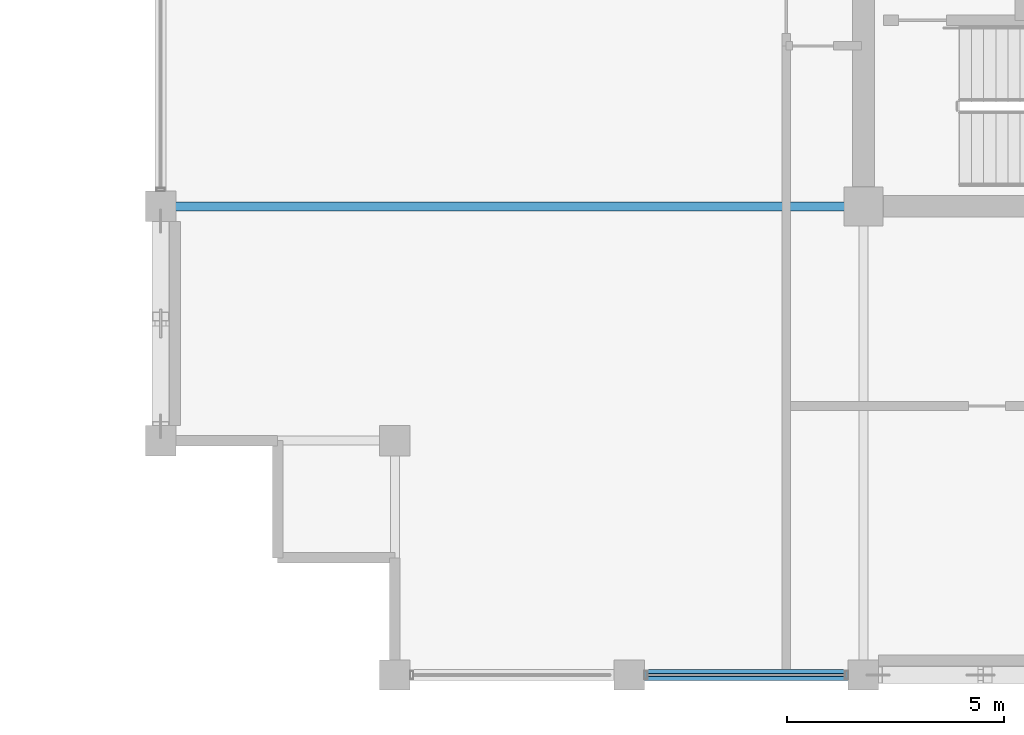
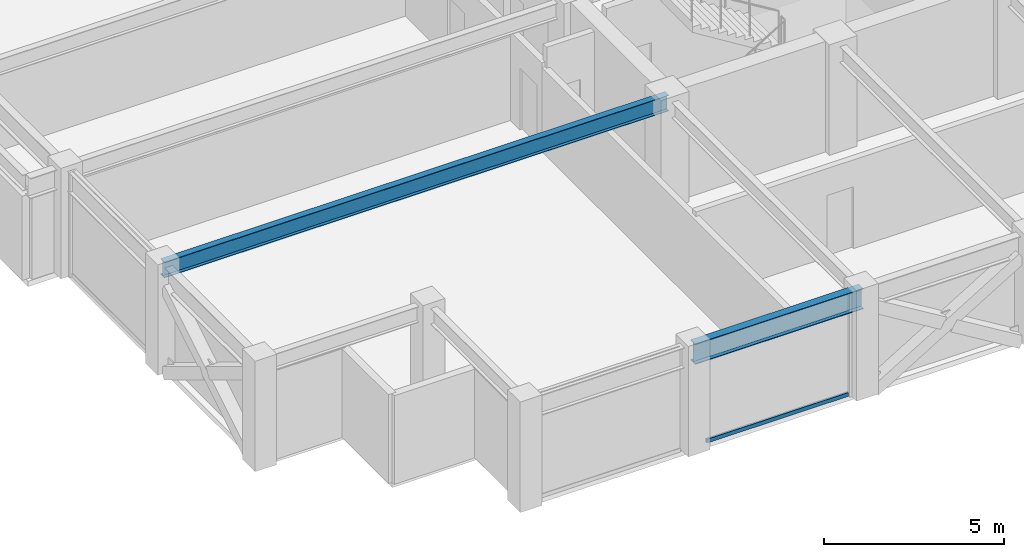
# One storey, part 4 of 31: 2 beams, 1 member, 1 element without a shape of its own.
"""IFC4 building model written with IfcOpenShell, lengths in metres."""

from ifc_helpers import new_model, si_unit, direction, frame, origin, origin_2d, place, context, subcontext, project, spatial, hollow_rectangle, i_section, extrude, material, layer, layer_set, material_profile, profile_set, type_object, element, aggregate, save


model = new_model("IFC4")

# Units and contexts
model_context = context("Model", 3, precision=1e-05, world=origin(), true_north=direction((0.0, 1.0)))
body_context = subcontext(model_context, "Body", "Model", "MODEL_VIEW")
ifc_project = project(units=[si_unit("LENGTHUNIT", "METRE"), si_unit("AREAUNIT", "SQUARE_METRE"), si_unit("VOLUMEUNIT", "CUBIC_METRE"), si_unit("PLANEANGLEUNIT", "RADIAN"), si_unit("MASSUNIT", "GRAM", prefix="KILO")], contexts=[model_context])

# Site, building, storey
site_placement = place(None, origin())
site = spatial("IfcSite", under=ifc_project, at=site_placement, CompositionType="ELEMENT")
building_placement = place(site_placement, origin())
building = spatial("IfcBuilding", under=site, at=building_placement, Name="Surkhivell Harbour Commons", CompositionType="ELEMENT")
storey_placement = place(building_placement, frame((0.0, 0.0, 270.0)))
storey = spatial("IfcBuildingStorey", under=building, at=storey_placement, Name="L70", CompositionType="ELEMENT", Elevation=270.0)

# Beams
ifc_material_1 = material(Name="Steel S355", Category="steel")
ifc_material_profile_1 = material_profile(ifc_material_1, i_section(OverallWidth=0.2099609375, OverallDepth=0.537109375, WebThickness=0.0107421875, FlangeThickness=0.017333984375, at=origin_2d()), Name="UB533x210x101")
ifc_profile_set_1 = profile_set([ifc_material_profile_1], Name="Steel S355")
beam_type_1 = type_object("IfcBeamType", Name="BM-GRD-533B", PredefinedType="BEAM", material=ifc_profile_set_1)
beam_1_placement = place(storey_placement, frame((-27.0, -10.800048828125, 3.301513671875), z_axis=(1.0, 0.0, 0.0), x_axis=(0.0, 1.0, 0.0)))
element("IfcBeam", 1, at=beam_1_placement, inside=storey, type_object=beam_type_1, Name="L70 Floor Girder (-27.0,-10.8)", PredefinedType="BEAM", context=body_context, shape_type="SweptSolid", body=[
    extrude(i_section(OverallWidth=0.2099609375, OverallDepth=0.537109375, WebThickness=0.0107421875, FlangeThickness=0.017333984375, at=origin_2d()), origin(), (0.0, 0.0, 1.0), 16.199951171875),
])
ifc_material_profile_2 = material_profile(ifc_material_1, i_section(OverallWidth=0.256103515625, OverallDepth=0.693115234375, WebThickness=0.014404296875, FlangeThickness=0.023681640625, at=origin_2d()), Name="UB686x254x170")
ifc_profile_set_2 = profile_set([ifc_material_profile_2], Name="Steel S355")
beam_type_2 = type_object("IfcBeamType", Name="BM-SPN-686", PredefinedType="SPANDREL", material=ifc_profile_set_2)
beam_2_placement = place(storey_placement, frame((-16.199951171875, -21.60009765625, 3.223388671875), z_axis=(1.0, 0.0, 0.0), x_axis=(0.0, 1.0, 0.0)))
element("IfcBeam", 2, at=beam_2_placement, inside=storey, type_object=beam_type_2, Name="L70 Tube Spandrel (-16.2,-21.6)", PredefinedType="SPANDREL", context=body_context, shape_type="SweptSolid", body=[
    extrude(i_section(OverallWidth=0.256103515625, OverallDepth=0.693115234375, WebThickness=0.014404296875, FlangeThickness=0.023681640625, at=origin_2d()), origin(), (0.0, 0.0, 1.0), 5.39990234375),
])

# Curtain wall, member
ifc_material_2 = material(Name="Anodised pale-metal aluminium and insulated glazing", Category="aluminium")
ifc_layer = layer(ifc_material_2, 0.175048828125)
ifc_layer_set = layer_set([ifc_layer], Name="Anodised pale-metal aluminium and insulated glazing")
curtain_wall_type = type_object("IfcCurtainWallType", Name="CW-SYS-Z4", PredefinedType="NOTDEFINED", material=ifc_layer_set)
curtain_wall_placement = place(storey_placement, origin())
curtain_wall = element("IfcCurtainWall", 3, at=curtain_wall_placement, inside=storey, type_object=curtain_wall_type, Name="L70 Curtain Wall CW-L70-E00S1", PredefinedType="NOTDEFINED")
ifc_material_3 = material(Name="Champagne anodised aluminium alloy 6063-T6", Category="aluminium")
ifc_material_profile_3 = material_profile(ifc_material_3, hollow_rectangle(XDim=0.070068359375, YDim=0.1298828125, WallThickness=0.00341796875, at=origin_2d()), Name="ALU-TRAN-70x130")
ifc_profile_set_3 = profile_set([ifc_material_profile_3], Name="Champagne anodised aluminium alloy 6063-T6")
member_type = type_object("IfcMemberType", Name="CWT-130", PredefinedType="USERDEFINED", material=ifc_profile_set_3)
member_placement = place(storey_placement, frame((-15.77294921875, -21.60009765625, 0.06494140625), z_axis=(1.0, 0.0, 0.0), x_axis=(0.0, 1.0, 0.0)))
member = element("IfcMember", 4, at=member_placement, type_object=member_type, Name="CW-Z4 transom 2.1", ObjectType="TRANSOM", PredefinedType="USERDEFINED", context=body_context, shape_type="SweptSolid", body=[
    extrude(hollow_rectangle(XDim=0.070068359375, YDim=0.1298828125, WallThickness=0.00341796875, at=origin_2d()), origin(), (0.0, 0.0, 1.0), 4.5458984375),
])
aggregate(curtain_wall, [member])

save(model, "model.ifc")
